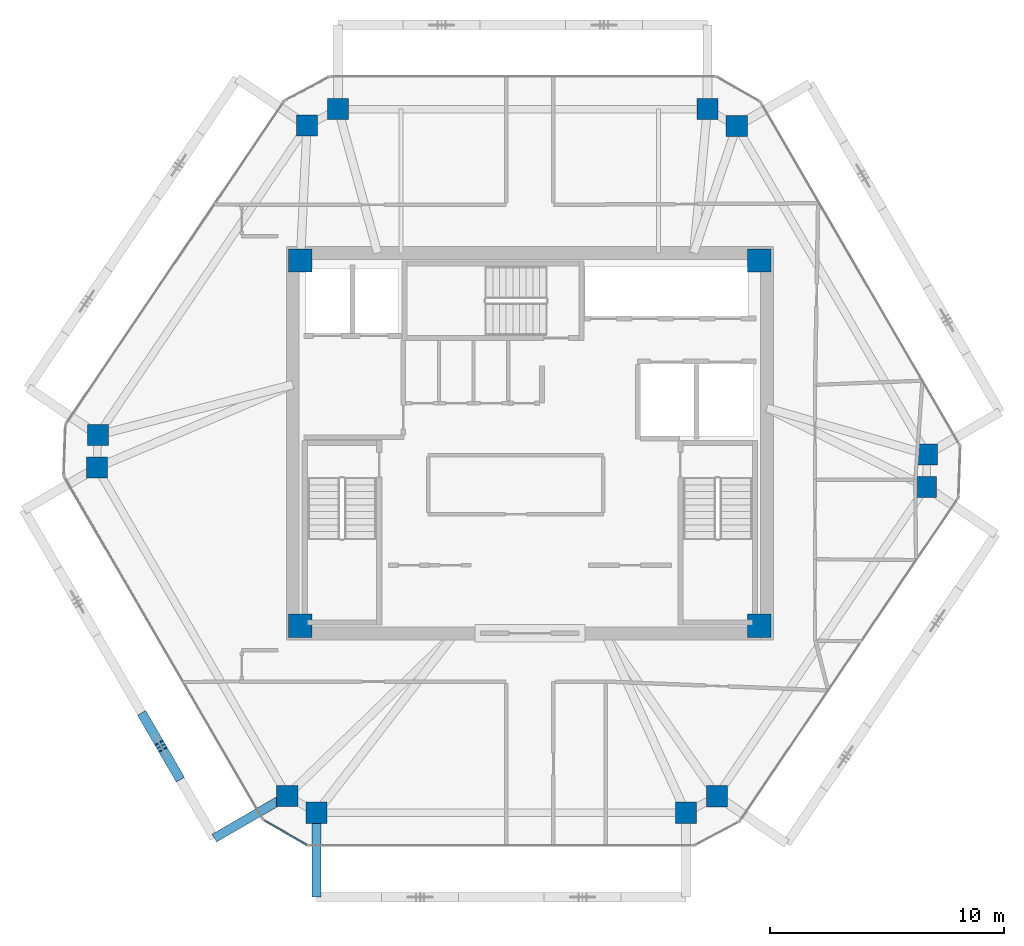
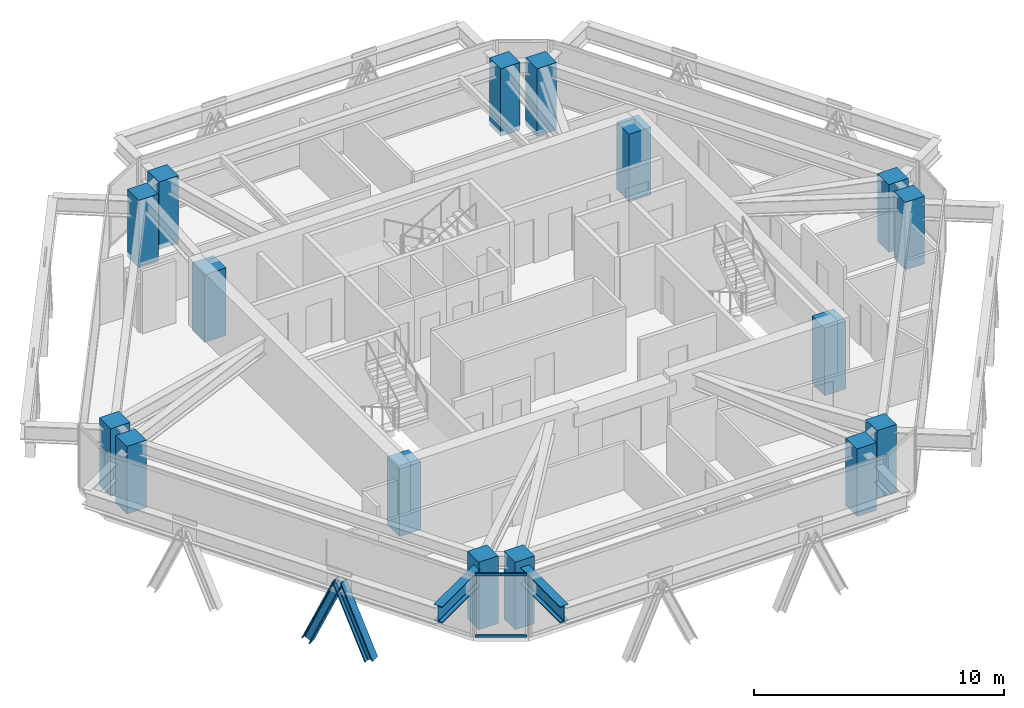
# One storey, part 1 of 12: 16 columns, 4 members, 2 beams, 1 element without a shape of its own.
"""IFC4 building model written with IfcOpenShell, lengths in metres."""

from ifc_helpers import new_model, si_unit, direction, frame, origin, origin_2d, place, context, subcontext, project, spatial, rectangle, i_section, extrude, source, transform, mapped, material, layer, layer_set, material_profile, profile_set, type_object, type_shapes, element, aggregate, save


model = new_model("IFC4")

# Units and contexts
model_context = context("Model", 3, precision=1e-05, world=origin(), true_north=direction((0.0, 1.0)))
body_context = subcontext(model_context, "Body", "Model", "MODEL_VIEW")
ifc_project = project(units=[si_unit("LENGTHUNIT", "METRE"), si_unit("AREAUNIT", "SQUARE_METRE"), si_unit("VOLUMEUNIT", "CUBIC_METRE"), si_unit("PLANEANGLEUNIT", "RADIAN"), si_unit("MASSUNIT", "GRAM", prefix="KILO")], contexts=[model_context])

# Site, building, storey
site_placement = place(None, origin())
site = spatial("IfcSite", under=ifc_project, at=site_placement, CompositionType="ELEMENT")
building_placement = place(site_placement, origin())
building = spatial("IfcBuilding", under=site, at=building_placement, Name="Durnholm Broadcast Tower", CompositionType="ELEMENT")
storey_placement = place(building_placement, frame((0.0, 0.0, 221.60009765625)))
storey = spatial("IfcBuildingStorey", under=building, at=storey_placement, Name="L61", CompositionType="ELEMENT", Elevation=221.60009765625)

# Columns
ifc_material_1 = material(Name="Concrete C70/85", Category="concrete")
ifc_material_profile_1 = material_profile(ifc_material_1, rectangle(XDim=1.0, YDim=1.0, at=origin_2d()), Name="RC1000X1000")
ifc_profile_set_1 = profile_set([ifc_material_profile_1], Name="Concrete C70/85")
column_type_1 = type_object("IfcColumnType", Name="COL-CC-1000", PredefinedType="COLUMN", material=ifc_profile_set_1)
shared_shape_1 = source(origin(), body_context, "Body", "SweptSolid", [
    extrude(rectangle(XDim=1.0, YDim=1.0, at=origin_2d()), origin(), (0.0, 0.0, 1.0), 3.2998046875),
])
type_shapes(column_type_1, [shared_shape_1])
for number, where, z_axis, x_axis, name in (
    (1, (-9.800048828125, -7.800048828125, -0.239990234375), (0.0, 0.0, 1.0), (1.0, 0.0, 0.0), "L61 core corner column 1"),
    (2, (9.800048828125, -7.800048828125, -0.239990234375), (0.0, 0.0, 1.0), (1.0, 0.0, 0.0), "L61 core corner column 2"),
    (3, (9.800048828125, 7.800048828125, -0.239990234375), (0.0, 0.0, 1.0), (1.0, 0.0, 0.0), "L61 core corner column 3"),
    (4, (-9.800048828125, 7.800048828125, -0.239990234375), (0.0, 0.0, 1.0), (1.0, 0.0, 0.0), "L61 core corner column 4"),
):
    element("IfcColumn", number, at=place(storey_placement, frame(where, z_axis=z_axis, x_axis=x_axis)), inside=storey, type_object=column_type_1, Name=name, PredefinedType="COLUMN", context=body_context, shape_type="MappedRepresentation", body=[
        mapped(shared_shape_1, transform((0.0, 0.0, 0.0), x_axis=(1.0, 0.0, 0.0), y_axis=(0.0, 1.0, 0.0), z_axis=(0.0, 0.0, 1.0), scale=1.0)),
    ])
ifc_material_profile_2 = material_profile(ifc_material_1, rectangle(XDim=0.89990234375, YDim=0.89990234375, at=origin_2d()), Name="RC900X900")
ifc_profile_set_2 = profile_set([ifc_material_profile_2], Name="Concrete C70/85")
column_type_2 = type_object("IfcColumnType", Name="COL-CC-900", PredefinedType="COLUMN", material=ifc_profile_set_2)
shared_shape_2 = source(origin(), body_context, "Body", "SweptSolid", [
    extrude(rectangle(XDim=0.89990234375, YDim=0.89990234375, at=origin_2d()), origin(), (0.0, 0.0, 1.0), 3.2998046875),
])
type_shapes(column_type_2, [shared_shape_2])
for number, where, z_axis, x_axis, name in (
    (5, (-10.361328125, -15.061767578125, -0.239990234375), (0.0, 0.0, 1.0), (1.0, 0.0, 0.0), "L61 perimeter hexagonal tube column 01"),
    (6, (-18.494384765625, -1.0478515625, -0.239990234375), (0.0, 0.0, 1.0), (1.0, 0.0, 0.0), "L61 perimeter hexagonal tube column 02"),
    (7, (-18.4462890625, 0.345947265625, -0.239990234375), (0.0, 0.0, 1.0), (1.0, 0.0, 0.0), "L61 perimeter hexagonal tube column 03"),
    (8, (-9.514892578125, 13.557373046875, -0.239990234375), (0.0, 0.0, 1.0), (1.0, 0.0, 0.0), "L61 perimeter hexagonal tube column 04"),
    (9, (-8.187744140625, 14.261962890625, -0.239990234375), (0.0, 0.0, 1.0), (1.0, 0.0, 0.0), "L61 perimeter hexagonal tube column 05"),
    (10, (7.57958984375, 14.261962890625, -0.239990234375), (0.0, 0.0, 1.0), (1.0, 0.0, 0.0), "L61 perimeter hexagonal tube column 06"),
    (11, (8.83740234375, 13.53759765625, -0.239990234375), (0.0, 0.0, 1.0), (1.0, 0.0, 0.0), "L61 perimeter hexagonal tube column 07"),
    (12, (16.97021484375, -0.47607421875, -0.239990234375), (0.0, 0.0, 1.0), (1.0, 0.0, 0.0), "L61 perimeter hexagonal tube column 08"),
    (13, (16.92236328125, -1.869873046875, -0.239990234375), (0.0, 0.0, 1.0), (1.0, 0.0, 0.0), "L61 perimeter hexagonal tube column 09"),
    (14, (7.990966796875, -15.081298828125, -0.239990234375), (0.0, 0.0, 1.0), (1.0, 0.0, 0.0), "L61 perimeter hexagonal tube column 10"),
    (15, (6.663818359375, -15.785888671875, -0.239990234375), (0.0, 0.0, 1.0), (1.0, 0.0, 0.0), "L61 perimeter hexagonal tube column 11"),
    (16, (-9.103759765625, -15.785888671875, -0.239990234375), (0.0, 0.0, 1.0), (1.0, 0.0, 0.0), "L61 perimeter hexagonal tube column 12"),
):
    element("IfcColumn", number, at=place(storey_placement, frame(where, z_axis=z_axis, x_axis=x_axis)), inside=storey, type_object=column_type_2, Name=name, PredefinedType="COLUMN", context=body_context, shape_type="MappedRepresentation", body=[
        mapped(shared_shape_2, transform((0.0, 0.0, 0.0), x_axis=(1.0, 0.0, 0.0), y_axis=(0.0, 1.0, 0.0), z_axis=(0.0, 0.0, 1.0), scale=1.0)),
    ])

# Beams
ifc_material_2 = material(Name="Steel ASTM A992 Grade 50", Category="steel")
ifc_material_profile_3 = material_profile(ifc_material_2, i_section(OverallWidth=0.385009765625, OverallDepth=0.802978515625, WebThickness=0.023681640625, FlangeThickness=0.0419921875, FilletRadius=0.032958984375, at=origin_2d()), Name="W30X261")
ifc_profile_set_3 = profile_set([ifc_material_profile_3], Name="Steel ASTM A992 Grade 50")
beam_type = type_object("IfcBeamType", Name="BM-EXO-TIE", PredefinedType="USERDEFINED", material=ifc_profile_set_3)
shared_shape_3 = source(origin(), body_context, "Body", "SweptSolid", [
    extrude(i_section(OverallWidth=0.385009765625, OverallDepth=0.802978515625, WebThickness=0.023681640625, FlangeThickness=0.0419921875, FilletRadius=0.032958984375, at=origin_2d()), origin(), (0.0, 0.0, 1.0), 3.4560546875),
])
type_shapes(beam_type, [shared_shape_3])
for number, where, z_axis, x_axis, name in (
    (17, (-9.103759765625, -15.929931640625, 2.308349609375), (0.0, -1.0, 0.0), (1.0, 0.0, 0.0), "L61 exoskeleton stand-off tie bracket F1.1"),
    (18, (-10.48583984375, -15.134033203125, 2.308349609375), (-0.864924479231, -0.501902027518, 0.0), (0.501902027518, -0.864924479231, 0.0), "L61 exoskeleton stand-off tie bracket F6.2"),
):
    element("IfcBeam", number, at=place(storey_placement, frame(where, z_axis=z_axis, x_axis=x_axis)), inside=storey, type_object=beam_type, Name=name, ObjectType="GIRDER", PredefinedType="USERDEFINED", context=body_context, shape_type="MappedRepresentation", body=[
        mapped(shared_shape_3, transform((0.0, 0.0, 0.0), x_axis=(1.0, 0.0, 0.0), y_axis=(0.0, 1.0, 0.0), z_axis=(0.0, 0.0, 1.0), scale=1.0)),
    ])

# Members
ifc_material_3 = material(Name="Steel ASTM A913 Grade 65", Category="steel")
ifc_material_profile_4 = material_profile(ifc_material_3, i_section(OverallWidth=0.40625, OverallDepth=0.416015625, WebThickness=0.02978515625, FlangeThickness=0.048095703125, FilletRadius=0.030517578125, at=origin_2d()), Name="W14X257")
ifc_profile_set_4 = profile_set([ifc_material_profile_4], Name="Steel ASTM A913 Grade 65")
member_type_1 = type_object("IfcMemberType", Name="STL-DG-W14X257", PredefinedType="BRACE", material=ifc_profile_set_4)
shared_shape_4 = source(origin(), body_context, "Body", "SweptSolid", [
    extrude(i_section(OverallWidth=0.40625, OverallDepth=0.416015625, WebThickness=0.02978515625, FlangeThickness=0.048095703125, FilletRadius=0.030517578125, at=origin_2d()), origin(), (0.0, 0.0, 1.0), 3.607666015625),
])
type_shapes(member_type_1, [shared_shape_4])
for number, where, z_axis, x_axis, name in (
    (19, (-16.484130859375, -11.68359375, -0.991455078125), (0.202883747207, -0.34959887861, 0.914668688211), (0.864906184135, 0.501933554014, 0.0), "L61 stand-off diagrid brace F6.D2.1"),
    (20, (-15.020263671875, -14.2060546875, -0.991455078125), (-0.202883747207, 0.34959887861, 0.914668688211), (-0.864906184135, -0.501933554014, 0.0), "L61 stand-off diagrid brace F6.D2.2"),
):
    element("IfcMember", number, at=place(storey_placement, frame(where, z_axis=z_axis, x_axis=x_axis)), inside=storey, type_object=member_type_1, Name=name, PredefinedType="BRACE", context=body_context, shape_type="MappedRepresentation", body=[
        mapped(shared_shape_4, transform((0.0, 0.0, 0.0), x_axis=(1.0, 0.0, 0.0), y_axis=(0.0, 1.0, 0.0), z_axis=(0.0, 0.0, 1.0), scale=1.0)),
    ])

# Curtain wall, members
ifc_material_4 = material(Name="Aluminium and Solar Control IGU", Category="aluminium")
ifc_layer = layer(ifc_material_4, 0.1650390625)
ifc_layer_set = layer_set([ifc_layer], Name="Aluminium and Solar Control IGU")
curtain_wall_type = type_object("IfcCurtainWallType", Name="CW-SYS-5", PredefinedType="NOTDEFINED", material=ifc_layer_set)
curtain_wall_placement = place(storey_placement, origin())
curtain_wall = element("IfcCurtainWall", 21, at=curtain_wall_placement, inside=storey, type_object=curtain_wall_type, Name="L61 curtain wall CW-CORNER CW-L61-CRN-11", PredefinedType="NOTDEFINED")
ifc_material_5 = material(Name="Aluminium 6063-T6", Category="aluminium")
ifc_material_profile_5 = material_profile(ifc_material_5, rectangle(XDim=0.06494140625, YDim=0.1298828125, at=origin_2d()), Name="CWT65X130")
ifc_profile_set_5 = profile_set([ifc_material_profile_5], Name="Aluminium 6063-T6")
member_type_2 = type_object("IfcMemberType", Name="CW-SYS-5-TRN", PredefinedType="USERDEFINED", material=ifc_profile_set_5)
shared_shape_5 = source(origin(), body_context, "Body", "SweptSolid", [
    extrude(rectangle(XDim=0.06494140625, YDim=0.1298828125, at=origin_2d()), origin(), (0.0, 0.0, 1.0), 2.06982421875),
])
type_shapes(member_type_2, [shared_shape_5])
member_1_placement = place(storey_placement, frame((-9.534423828125, -17.153564453125, 0.032470703125), z_axis=(-0.866576086718, 0.499044973854, 0.0), x_axis=(-0.499044973854, -0.866576086718, 0.0)))
member_1 = element("IfcMember", 22, at=member_1_placement, type_object=member_type_2, Name="CW-CORNER transom 1.1", ObjectType="TRANSOM", PredefinedType="USERDEFINED", context=body_context, shape_type="MappedRepresentation", body=[
    mapped(shared_shape_5, transform((0.0, 0.0, 0.0), x_axis=(1.0, 0.0, 0.0), y_axis=(0.0, 1.0, 0.0), z_axis=(0.0, 0.0, 1.0), scale=1.0)),
])
member_2_placement = place(storey_placement, frame((-9.534423828125, -17.153564453125, 3.02734375), z_axis=(-0.866576086718, 0.499044973854, 0.0), x_axis=(-0.499044973854, -0.866576086718, 0.0)))
member_2 = element("IfcMember", 23, at=member_2_placement, type_object=member_type_2, Name="CW-CORNER transom 1.2", ObjectType="TRANSOM", PredefinedType="USERDEFINED", context=body_context, shape_type="MappedRepresentation", body=[
    mapped(shared_shape_5, transform((0.0, 0.0, 0.0), x_axis=(1.0, 0.0, 0.0), y_axis=(0.0, 1.0, 0.0), z_axis=(0.0, 0.0, 1.0), scale=1.0)),
])
aggregate(curtain_wall, [member_1, member_2])

save(model, "model.ifc")
